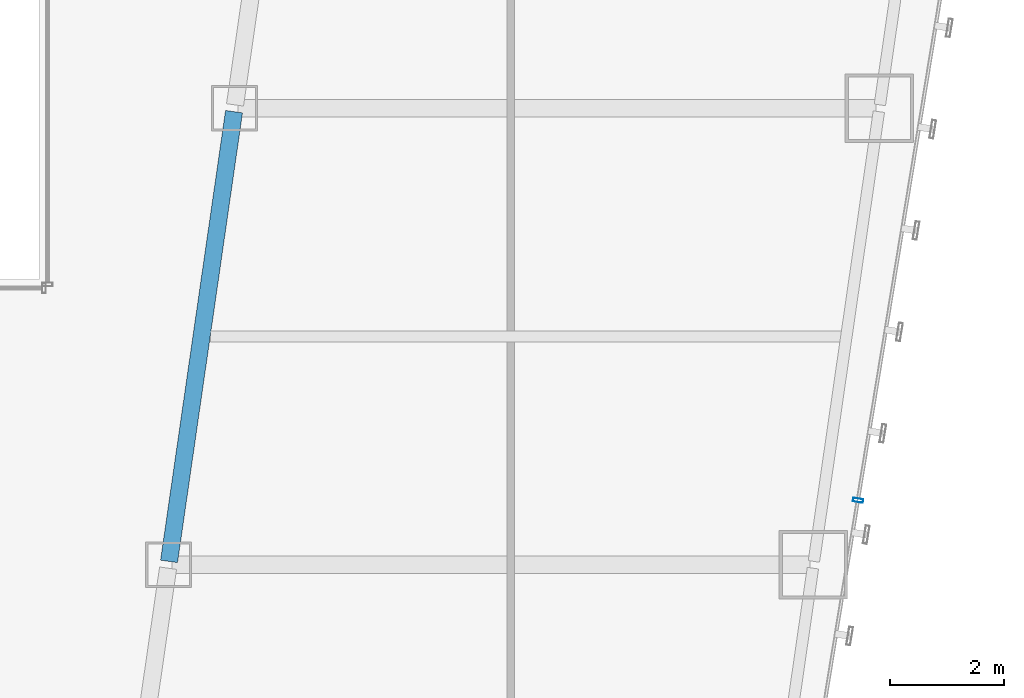
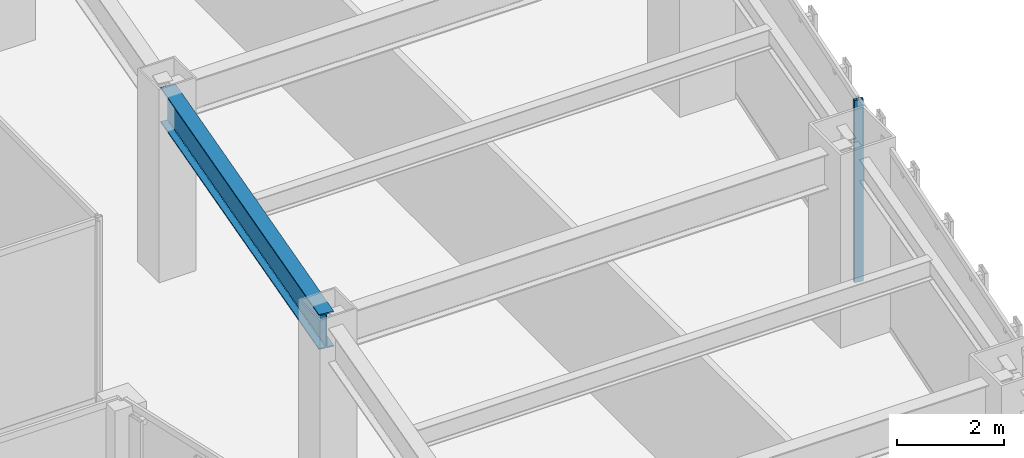
# One storey, part 17 of 47: 1 beam, 1 member, 1 element without a shape of its own.
"""IFC4 building model written with IfcOpenShell, lengths in metres."""

from ifc_helpers import new_model, si_unit, direction, frame, origin, origin_2d, place, context, subcontext, project, spatial, hollow_rectangle, i_section, extrude, material, material_profile, profile_set, type_object, element, aggregate, save


model = new_model("IFC4")

# Units and contexts
model_context = context("Model", 3, precision=1e-05, world=origin(), true_north=direction((0.0, 1.0)))
body_context = subcontext(model_context, "Body", "Model", "MODEL_VIEW")
ifc_project = project(units=[si_unit("LENGTHUNIT", "METRE"), si_unit("AREAUNIT", "SQUARE_METRE"), si_unit("VOLUMEUNIT", "CUBIC_METRE"), si_unit("PLANEANGLEUNIT", "RADIAN"), si_unit("MASSUNIT", "GRAM", prefix="KILO")], contexts=[model_context])

# Site, building, storey
site_placement = place(None, origin())
site = spatial("IfcSite", under=ifc_project, at=site_placement, CompositionType="ELEMENT")
building_placement = place(site_placement, origin())
building = spatial("IfcBuilding", under=site, at=building_placement, Name="Saevonmaru Cultural Tower", CompositionType="ELEMENT")
storey_placement = place(building_placement, frame((0.0, 0.0, 42.800048828125)))
storey = spatial("IfcBuildingStorey", under=building, at=storey_placement, Name="L08", CompositionType="ELEMENT", Elevation=42.800048828125)

# Beam
ifc_material_1 = material(Name="Steel SM420", Category="steel")
ifc_material_profile_1 = material_profile(ifc_material_1, i_section(OverallWidth=0.300048828125, OverallDepth=0.800048828125, WebThickness=0.013916015625, FlangeThickness=0.02587890625, FilletRadius=0.028076171875, at=origin_2d()), Name="H-800x300x14x26")
ifc_profile_set_1 = profile_set([ifc_material_profile_1], Name="Steel SM420")
beam_type = type_object("IfcBeamType", Name="BM-G-H800", PredefinedType="BEAM", material=ifc_profile_set_1)
beam_placement = place(storey_placement, frame((38.08056640625, 16.059326171875, 3.75), z_axis=(0.143022161059, 0.989719486241, 0.0), x_axis=(-0.989719486241, 0.143022161059, 0.0)))
element("IfcBeam", 1, at=beam_placement, inside=storey, type_object=beam_type, Name="L08 East Atrium Girder 3", PredefinedType="BEAM", context=body_context, shape_type="SweptSolid", body=[
    extrude(i_section(OverallWidth=0.300048828125, OverallDepth=0.800048828125, WebThickness=0.013916015625, FlangeThickness=0.02587890625, FilletRadius=0.028076171875, at=origin_2d()), origin(), (0.0, 0.0, 1.0), 7.963134765625),
])

# Curtain wall, member
ifc_material_2 = material(Name="Satin Bronze Anodised Aluminium", Category="aluminium")
curtain_wall_type = type_object("IfcCurtainWallType", Name="CW-TYP-A", PredefinedType="NOTDEFINED", material=ifc_material_2)
curtain_wall_placement = place(storey_placement, origin())
curtain_wall = element("IfcCurtainWall", 2, at=curtain_wall_placement, inside=storey, type_object=curtain_wall_type, Name="L08 Unitised Curtain Wall E8", PredefinedType="NOTDEFINED")
ifc_material_profile_2 = material_profile(ifc_material_2, hollow_rectangle(XDim=0.06494140625, YDim=0.179931640625, WallThickness=0.00390625, at=origin_2d()), Name="ALU-MULL-180x65x4")
ifc_profile_set_2 = profile_set([ifc_material_profile_2], Name="Satin Bronze Anodised Aluminium")
member_type = type_object("IfcMemberType", Name="ML-CW-180x65", PredefinedType="MULLION", material=ifc_profile_set_2)
member_placement = place(storey_placement, frame((50.15478515625, 17.129638671875, 0.0), z_axis=(0.0, 0.0, 1.0), x_axis=(0.161708868641, 0.986838508472, 0.0)))
member = element("IfcMember", 3, at=member_placement, type_object=member_type, Name="CW-TW-L08-E8 mullion 2", PredefinedType="MULLION", context=body_context, shape_type="SweptSolid", body=[
    extrude(hollow_rectangle(XDim=0.06494140625, YDim=0.179931640625, WallThickness=0.00390625, at=origin_2d()), origin(), (0.0, 0.0, 1.0), 4.14990234375),
])
aggregate(curtain_wall, [member])

save(model, "model.ifc")
